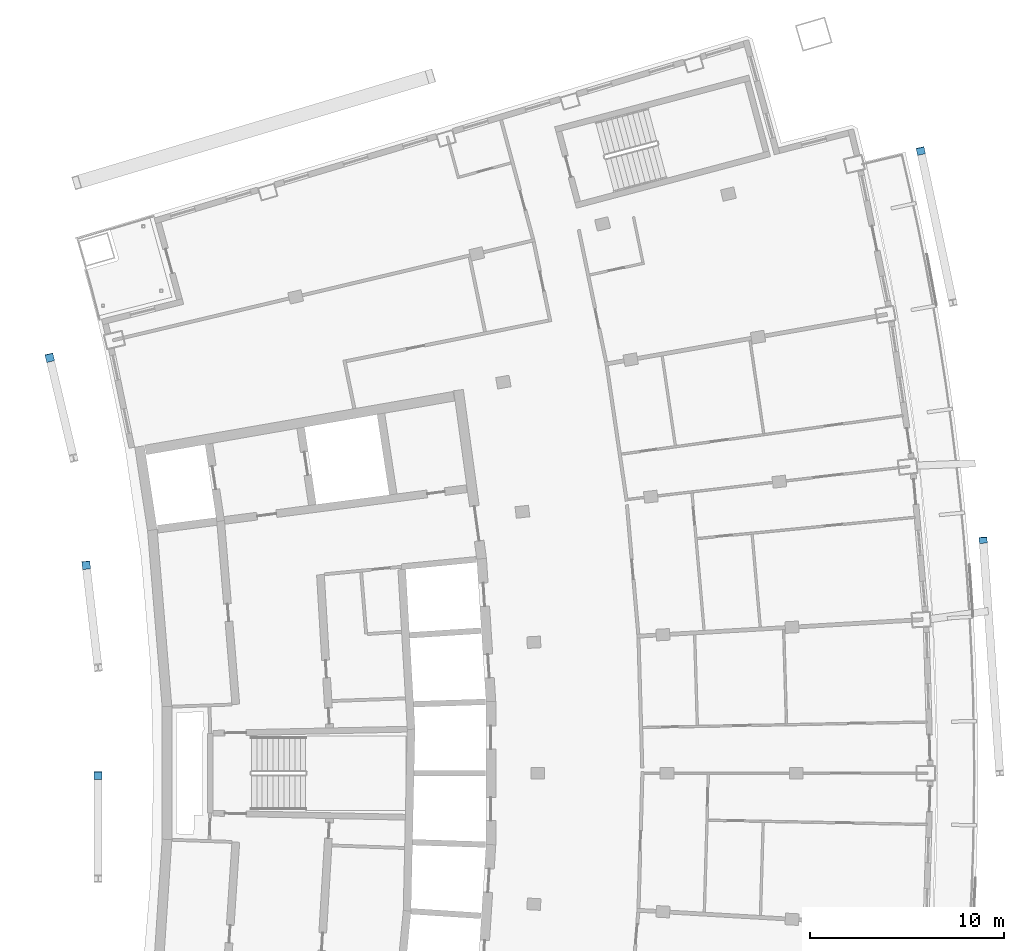
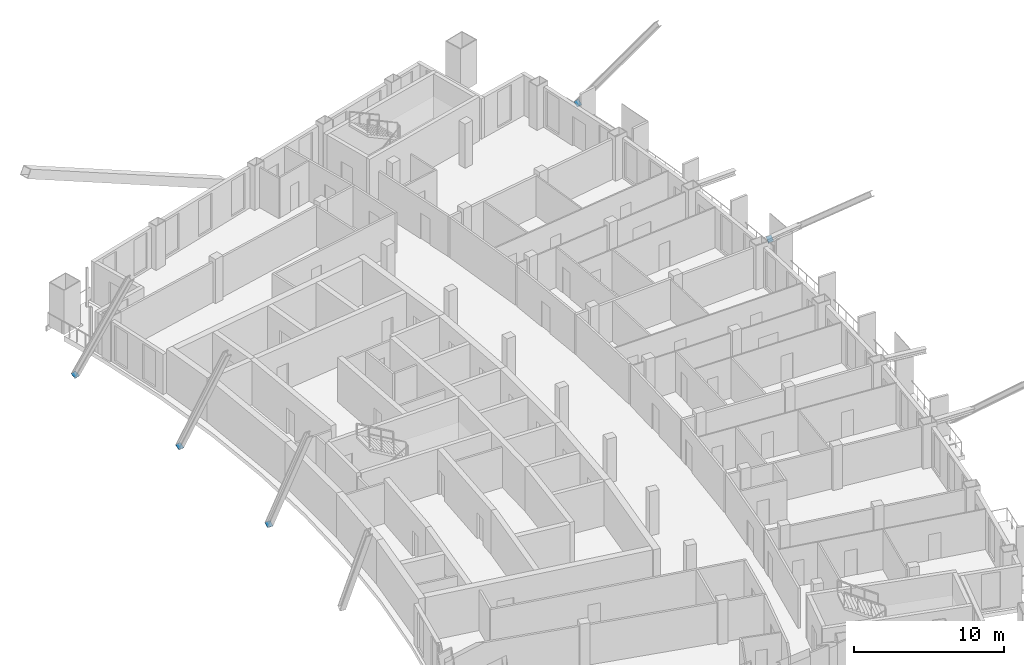
# One storey, part 14 of 17: 5 discrete accessories.
"""IFC4 building model written with IfcOpenShell, lengths in metres."""

from ifc_helpers import new_model, si_unit, direction, frame, origin, origin_2d, place, context, subcontext, project, spatial, rectangle, extrude, material, material_profile, profile_set, type_object, element, save


model = new_model("IFC4")

# Units and contexts
model_context = context("Model", 3, precision=1e-05, world=origin(), true_north=direction((0.0, 1.0)))
body_context = subcontext(model_context, "Body", "Model", "MODEL_VIEW")
ifc_project = project(units=[si_unit("LENGTHUNIT", "METRE"), si_unit("AREAUNIT", "SQUARE_METRE"), si_unit("VOLUMEUNIT", "CUBIC_METRE"), si_unit("PLANEANGLEUNIT", "RADIAN"), si_unit("MASSUNIT", "GRAM", prefix="KILO")], contexts=[model_context])

# Site, building, storey
site_placement = place(None, origin())
site = spatial("IfcSite", under=ifc_project, at=site_placement, CompositionType="ELEMENT")
building_placement = place(site_placement, origin())
building = spatial("IfcBuilding", under=site, at=building_placement, Name="Alderwake Tower", CompositionType="ELEMENT")
storey_placement = place(building_placement, frame((0.0, 0.0, 278.0)))
storey = spatial("IfcBuildingStorey", under=building, at=storey_placement, Name="L69", CompositionType="ELEMENT", Elevation=278.0)

# Discrete accessories
ifc_material = material(Name="Steel ASTM A572 Grade 50", Category="steel")
ifc_material_profile = material_profile(ifc_material, rectangle(XDim=0.41552734375, YDim=0.445556640625, at=origin_2d()), Name="W14X342 cap")
ifc_profile_set = profile_set([ifc_material_profile], Name="Steel ASTM A572 Grade 50")
discrete_accessory_type = type_object("IfcDiscreteAccessoryType", Name="End cap plate W14X342", PredefinedType="USERDEFINED", material=ifc_profile_set)
for number, where, z_axis, x_axis, name in (
    (1, (58.766845703125, 73.002685546875, 0.16552734375), (-0.048890485065, 0.749654104333, -0.66002154838), (-0.997880105966, -0.065079137346, 0.0), "End cap BRF5.2.7B2 X"),
    (2, (55.549560546875, 93.0693359375, 0.20361328125), (-0.13044826892, 0.587017210138, -0.798995647133), (-0.976187060184, -0.216930457819, 0.0), "End cap BRF5.2.10B2 X"),
):
    element("IfcDiscreteAccessory", number, at=place(storey_placement, frame(where, z_axis=z_axis, x_axis=x_axis)), inside=storey, type_object=discrete_accessory_type, Name=name, ObjectType="END CAP", PredefinedType="USERDEFINED", context=body_context, shape_type="SweptSolid", body=[
        extrude(rectangle(XDim=0.41552734375, YDim=0.445556640625, at=origin_2d()), origin(), (0.0, 0.0, 1.0), 0.030029296875),
    ])
for number, where, z_axis, x_axis, name in (
    (3, (13.141357421875, 60.8740234375, 0.25), (0.0, 0.450486863362, -0.89278305648), (-1.0, 0.0, 0.0), "End cap BRR5.2.6B2 X"),
    (4, (12.522705078125, 71.716796875, 0.25), (-0.049084784017, 0.449943853485, -0.891706909634), (-0.994102176608, -0.108447510175, 0.0), "End cap BRR5.2.8B2 X"),
    (5, (10.646484375, 82.413818359375, 0.25), (-0.106265057576, 0.441408700699, -0.890991636597), (-0.972223637158, -0.234053838575, 0.0), "End cap BRR5.2.10B2 X"),
):
    element("IfcDiscreteAccessory", number, at=place(storey_placement, frame(where, z_axis=z_axis, x_axis=x_axis)), inside=storey, type_object=discrete_accessory_type, Name=name, ObjectType="END CAP", PredefinedType="USERDEFINED", context=body_context, shape_type="SweptSolid", body=[
        extrude(rectangle(XDim=0.41552734375, YDim=0.445556640625, at=origin_2d()), origin(), (0.0, 0.0, 1.0), 0.02978515625),
    ])

save(model, "model.ifc")
